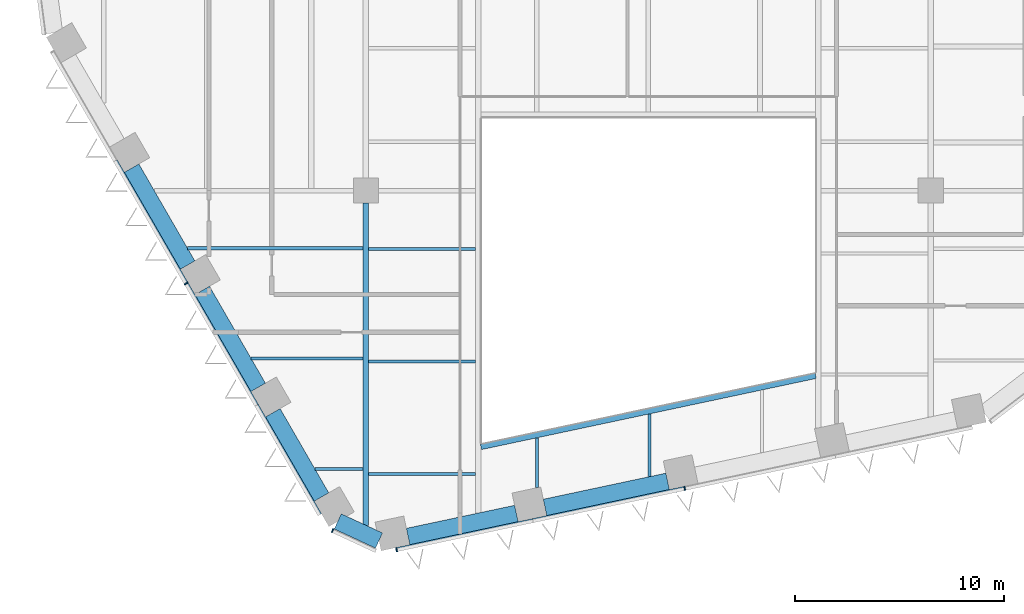
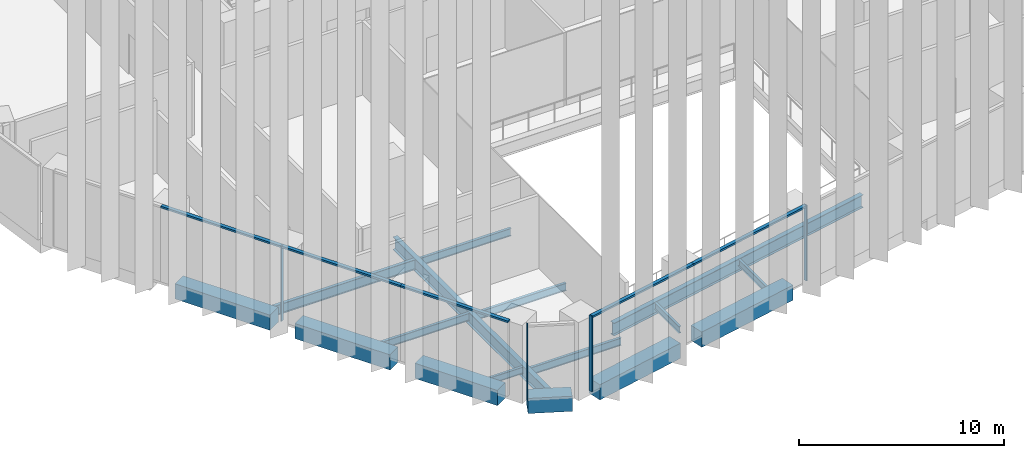
# One storey, part 2 of 18: 16 beams, 9 members, 3 elements without a shape of their own.
"""IFC4 building model written with IfcOpenShell, lengths in metres."""

import ifcopenshell
import ifcopenshell.guid

model = None  # the IFC model being written
_history = None  # IfcOwnerHistory: only IFC2X3 demands one
_inside = {}  # id of a spatial element -> (the spatial element, [elements in it])
_under = {}  # id of a project, library or spatial element -> (it, [spatial elements below it])
_declared = {}  # id of a project -> (the project, [libraries it declares])
_typed = {}  # id of a type object -> (the type object, [elements of that type])
_made_of = {}  # id of a material, layer set ... -> (it, [elements and type objects made of it])


def new_model(schema):
    """Start an empty IFC model of exactly this schema.

    Asked for "IFC4X3", IfcOpenShell would pick the latest addendum, in which some entities
    have other attributes; the version numbers below select the first issue.
    IFC2X3 requires an IfcOwnerHistory on every rooted entity: one is made here for all.
    """
    global model, _history
    if schema == "IFC4X3":
        model = ifcopenshell.file(schema_version=(4, 3, 0, 0))
    else:
        model = ifcopenshell.file(schema=schema)
    _inside.clear()
    _under.clear()
    _declared.clear()
    _typed.clear()
    _made_of.clear()
    _history = None
    if model.schema == "IFC2X3":
        org = make("IfcOrganization", Name="unknown")
        user = make(
            "IfcPersonAndOrganization",
            ThePerson=make("IfcPerson", FamilyName="unknown"),
            TheOrganization=org,
        )
        app = make(
            "IfcApplication",
            ApplicationDeveloper=org,
            Version="unknown",
            ApplicationFullName="unknown",
            ApplicationIdentifier="unknown",
        )
        _history = make(
            "IfcOwnerHistory",
            OwningUser=user,
            OwningApplication=app,
            ChangeAction="ADDED",
            CreationDate=0,
        )
    return model


def make(cls, **values):
    """One entity of the class cls with the attributes given. An attribute that is None is left unset."""
    return model.create_entity(
        cls, **{name: value for name, value in values.items() if value is not None}
    )


def rooted(cls, **values):
    """An entity with a GlobalId (a new one), such as an element, a storey or a relation."""
    return make(cls, GlobalId=ifcopenshell.guid.new(), OwnerHistory=_history, **values)


def si_unit(unit_type, name, prefix=None):
    """IfcSIUnit, for example si_unit("LENGTHUNIT", "METRE", prefix="MILLI")."""
    return make("IfcSIUnit", UnitType=unit_type, Prefix=prefix, Name=name)


def assignment(units):
    """IfcUnitAssignment: the units of a project."""
    return None if units is None else make("IfcUnitAssignment", Units=units)


def point(xyz):
    """IfcCartesianPoint."""
    return None if xyz is None else make("IfcCartesianPoint", Coordinates=xyz)


def direction(xyz):
    """IfcDirection."""
    return None if xyz is None else make("IfcDirection", DirectionRatios=xyz)


def frame(location, z_axis=None, x_axis=None):
    """IfcAxis2Placement3D, a coordinate frame: its origin and axes. An axis left out is left unset."""
    return make(
        "IfcAxis2Placement3D",
        Location=point(location),
        Axis=direction(z_axis),
        RefDirection=direction(x_axis),
    )


def frame_2d(location, x_axis=None):
    """IfcAxis2Placement2D, a coordinate frame in the plane: its origin and x axis."""
    return make(
        "IfcAxis2Placement2D", Location=point(location), RefDirection=direction(x_axis)
    )


def origin():
    """The frame at (0, 0, 0) with its axes left unset."""
    return frame((0.0, 0.0, 0.0))


def origin_2d():
    """The frame at (0, 0) in the plane with its x axis left unset."""
    return frame_2d((0.0, 0.0))


def place(relative_to, where):
    """IfcLocalPlacement: puts the frame where relative to a parent placement (None: the world)."""
    return make(
        "IfcLocalPlacement", PlacementRelTo=relative_to, RelativePlacement=where
    )


def context(
    kind, dimensions, precision=None, world=None, true_north=None, identifier=None
):
    """IfcGeometricRepresentationContext, for example the 3D "Model" context."""
    return make(
        "IfcGeometricRepresentationContext",
        ContextIdentifier=identifier,
        ContextType=kind,
        CoordinateSpaceDimension=dimensions,
        Precision=precision,
        WorldCoordinateSystem=world,
        TrueNorth=true_north,
    )


def subcontext(parent, identifier, kind, view, scale=None):
    """IfcGeometricRepresentationSubContext, for example "Body" below "Model"."""
    return make(
        "IfcGeometricRepresentationSubContext",
        ContextIdentifier=identifier,
        ContextType=kind,
        ParentContext=parent,
        TargetScale=scale,
        TargetView=view,
    )


def project(units=None, contexts=None):
    """IfcProject with its units and contexts."""
    return rooted(
        "IfcProject",
        Name="project",
        RepresentationContexts=contexts,
        UnitsInContext=assignment(units),
    )


def spatial(cls, under=None, at=None, **own):
    """A site, building, storey or space (cls), placed at a placement, below another one or the project."""
    s = rooted(cls, ObjectPlacement=at, **own)
    if under is not None:
        _under.setdefault(under.id(), (under, []))[1].append(s)
    return s


def profile(cls, at=None, kind="AREA", **sizes):
    """A parametric profile (cls). Its sizes go by their IFC names, for example OverallWidth=200.0."""
    return make(cls, ProfileType=kind, Position=at, **sizes)


def rectangle(**sizes):
    """IfcRectangleProfileDef."""
    return profile("IfcRectangleProfileDef", **sizes)


def i_section(**sizes):
    """IfcIShapeProfileDef."""
    return profile("IfcIShapeProfileDef", **sizes)


def extrude(swept, where, along, depth):
    """IfcExtrudedAreaSolid: the profile swept, set in the frame where, extruded along a direction by depth."""
    return make(
        "IfcExtrudedAreaSolid",
        SweptArea=swept,
        Position=where,
        ExtrudedDirection=direction(along),
        Depth=depth,
    )


def shape(context_of_items, identifier, shape_type, items):
    """IfcShapeRepresentation: the items that make up one representation, for example the "Body"."""
    return make(
        "IfcShapeRepresentation",
        ContextOfItems=context_of_items,
        RepresentationIdentifier=identifier,
        RepresentationType=shape_type,
        Items=items,
    )


def material(Name=None, Category=None):
    """IfcMaterial."""
    return make("IfcMaterial", Name=Name, Category=Category)


def layer(
    of_material, thickness, ventilated=None, Name=None, Category=None, Priority=None
):
    """IfcMaterialLayer: one layer of a wall or slab, of a material (None: an air gap)."""
    return make(
        "IfcMaterialLayer",
        Material=of_material,
        LayerThickness=thickness,
        IsVentilated=ventilated,
        Name=Name,
        Category=Category,
        Priority=Priority,
    )


def layer_set(layers, Name=None):
    """IfcMaterialLayerSet."""
    return make("IfcMaterialLayerSet", MaterialLayers=layers, LayerSetName=Name)


def material_profile(
    of_material, cross_section, Name=None, Category=None, Priority=None
):
    """IfcMaterialProfile: a cross section and its material."""
    return make(
        "IfcMaterialProfile",
        Name=Name,
        Material=of_material,
        Profile=cross_section,
        Priority=Priority,
        Category=Category,
    )


def profile_set(profiles, Name=None, composite=None):
    """IfcMaterialProfileSet."""
    return make(
        "IfcMaterialProfileSet",
        Name=Name,
        MaterialProfiles=profiles,
        CompositeProfile=composite,
    )


def made_of(thing, what):
    """Note that an element or type object is made of a material, layer set ...; save() writes the relation."""
    if what is not None:
        _made_of.setdefault(what.id(), (what, []))[1].append(thing)
    return thing


def type_object(cls, material=None, **own):
    """A type object (cls), such as IfcWallType, which elements share."""
    return made_of(rooted(cls, **own), material)


def element(
    cls,
    number,
    at=None,
    inside=None,
    cuts=None,
    type_object=None,
    material=None,
    context=None,
    identifier="Body",
    shape_type=None,
    held_by="IfcProductDefinitionShape",
    body=None,
    shapes=None,
    **own,
):
    """One element of the class cls, such as IfcWall. Its Tag is "e" and its number.

    at: its placement. inside: the storey or other place that contains it. cuts: it is an
    opening in that element (IfcRelVoidsElement). A single representation is given by context,
    identifier, shape_type and body (its items); several are given by shapes. held_by: the class
    of the entity that holds the representations. save() writes the other relations.
    """
    e = rooted(cls, Tag="e%d" % number, ObjectPlacement=at, **own)
    if body is not None:
        shapes = [shape(context, identifier, shape_type, body)]
    if shapes is not None:
        e.Representation = make(held_by, Representations=shapes)
    if inside is not None:
        _inside.setdefault(inside.id(), (inside, []))[1].append(e)
    if cuts is not None:
        rooted(
            "IfcRelVoidsElement", RelatingBuildingElement=cuts, RelatedOpeningElement=e
        )
    if type_object is not None:
        _typed.setdefault(type_object.id(), (type_object, []))[1].append(e)
    return made_of(e, material)


def aggregate(whole, parts):
    """IfcRelAggregates: a whole, such as a stair, and the parts it consists of."""
    return rooted("IfcRelAggregates", RelatingObject=whole, RelatedObjects=parts)


def save(model, path):
    """Write the relations noted so far, then the file.

    IfcRelAggregates (storeys below a building ...), IfcRelContainedInSpatialStructure (elements
    in a storey), IfcRelDefinesByType, IfcRelAssociatesMaterial and IfcRelDeclares: one each for
    every whole, place, type object, material and project.
    """
    for whole, parts in _under.values():
        aggregate(whole, parts)
    for where, things in _inside.values():
        rooted(
            "IfcRelContainedInSpatialStructure",
            RelatedElements=things,
            RelatingStructure=where,
        )
    for kind, things in _typed.values():
        rooted("IfcRelDefinesByType", RelatedObjects=things, RelatingType=kind)
    for what, things in _made_of.values():
        rooted("IfcRelAssociatesMaterial", RelatedObjects=things, RelatingMaterial=what)
    for by, libraries in _declared.values():
        rooted("IfcRelDeclares", RelatingContext=by, RelatedDefinitions=libraries)
    model.write(path)


model = new_model("IFC4")

# Units and contexts
model_context = context("Model", 3, precision=1e-05, world=origin(), true_north=direction((0.0, 1.0)))
body_context = subcontext(model_context, "Body", "Model", "MODEL_VIEW")
ifc_project = project(units=[si_unit("LENGTHUNIT", "METRE"), si_unit("AREAUNIT", "SQUARE_METRE"), si_unit("VOLUMEUNIT", "CUBIC_METRE"), si_unit("PLANEANGLEUNIT", "RADIAN"), si_unit("MASSUNIT", "GRAM", prefix="KILO")], contexts=[model_context])

# Site, building, storey
site_placement = place(None, origin())
site = spatial("IfcSite", under=ifc_project, at=site_placement, CompositionType="ELEMENT")
building_placement = place(site_placement, origin())
building = spatial("IfcBuilding", under=site, at=building_placement, Name="Isthmus Gate Tower", CompositionType="ELEMENT")
storey_placement = place(building_placement, frame((0.0, 0.0, 166.300048828125)))
storey = spatial("IfcBuildingStorey", under=building, at=storey_placement, Name="L41", CompositionType="ELEMENT", Elevation=166.300048828125)

# Curtain wall, member
ifc_material_1 = material(Name="Aluminium, pale champagne anodised", Category="aluminium")
ifc_layer = layer(ifc_material_1, 0.199951171875)
ifc_layer_set = layer_set([ifc_layer], Name="CW-2 LOUVRE CURTAIN WALL 200 DEEP")
curtain_wall_type = type_object("IfcCurtainWallType", Name="CW-2 LOUVRE CURTAIN WALL 200 DEEP", PredefinedType="NOTDEFINED", material=ifc_layer_set)
curtain_wall_1_placement = place(storey_placement, origin())
curtain_wall_1 = element("IfcCurtainWall", 1, at=curtain_wall_1_placement, inside=storey, type_object=curtain_wall_type, Name="CW-2 SW L41", PredefinedType="NOTDEFINED")
ifc_material_2 = material(Name="Aluminium, pale champagne anodised", Category="aluminium")
ifc_material_profile_1 = material_profile(ifc_material_2, rectangle(XDim=0.06005859375, YDim=0.199951171875, at=origin_2d()), Name="60x200")
ifc_profile_set_1 = profile_set([ifc_material_profile_1], Name="Aluminium, pale champagne anodised")
member_type_1 = type_object("IfcMemberType", Name="CW-2 MULLION 60 X 200", PredefinedType="MULLION", material=ifc_profile_set_1)
member_1_placement = place(storey_placement, frame((-22.08935546875, -17.93994140625, 0.0), z_axis=(0.0, 0.0, 1.0), x_axis=(0.5, -0.866025403784, 0.0)))
member_1 = element("IfcMember", 2, at=member_1_placement, type_object=member_type_1, Name="CW-2 mullion", PredefinedType="MULLION", context=body_context, shape_type="SweptSolid", body=[
    extrude(rectangle(XDim=0.06005859375, YDim=0.199951171875, at=origin_2d()), origin(), (0.0, 0.0, 1.0), 4.5),
])

curtain_wall_2_placement = place(storey_placement, origin())
curtain_wall_2 = element("IfcCurtainWall", 3, at=curtain_wall_2_placement, inside=storey, type_object=curtain_wall_type, Name="CW-2 SW-S L41", PredefinedType="NOTDEFINED")
member_2_placement = place(storey_placement, frame((-15.091064453125, -29.74755859375, 0.0), z_axis=(0.0, 0.0, 1.0), x_axis=(0.907256261367, -0.420578264073, 0.0)))
member_2 = element("IfcMember", 4, at=member_2_placement, type_object=member_type_1, Name="CW-2 mullion", PredefinedType="MULLION", context=body_context, shape_type="SweptSolid", body=[
    extrude(rectangle(XDim=0.06005859375, YDim=0.199951171875, at=origin_2d()), origin(), (0.0, 0.0, 1.0), 4.5),
])
aggregate(curtain_wall_2, [member_2])

# Curtain wall, members
curtain_wall_3_placement = place(storey_placement, origin())
curtain_wall_3 = element("IfcCurtainWall", 5, at=curtain_wall_3_placement, inside=storey, type_object=curtain_wall_type, Name="CW-2 S L41", PredefinedType="NOTDEFINED")
member_3_placement = place(storey_placement, frame((-12.03369140625, -30.66015625, 0.0), z_axis=(0.0, 0.0, 1.0), x_axis=(0.978147600734, 0.207911690818, 0.0)))
member_3 = element("IfcMember", 6, at=member_3_placement, type_object=member_type_1, Name="CW-2 mullion", PredefinedType="MULLION", context=body_context, shape_type="SweptSolid", body=[
    extrude(rectangle(XDim=0.06005859375, YDim=0.199951171875, at=origin_2d()), origin(), (0.0, 0.0, 1.0), 4.5),
])
member_4_placement = place(storey_placement, frame((1.740234375, -27.732421875, 0.0), z_axis=(0.0, 0.0, 1.0), x_axis=(0.978147600734, 0.207911690818, 0.0)))
member_4 = element("IfcMember", 7, at=member_4_placement, type_object=member_type_1, Name="CW-2 mullion", PredefinedType="MULLION", context=body_context, shape_type="SweptSolid", body=[
    extrude(rectangle(XDim=0.06005859375, YDim=0.199951171875, at=origin_2d()), origin(), (0.0, 0.0, 1.0), 4.5),
])

# Member
ifc_material_3 = material(Name="Aluminium, pale champagne anodised", Category="aluminium")
ifc_material_profile_2 = material_profile(ifc_material_3, rectangle(XDim=0.199951171875, YDim=0.110107421875, at=origin_2d()), Name="200x110")
ifc_profile_set_2 = profile_set([ifc_material_profile_2], Name="Aluminium, pale champagne anodised")
member_type_2 = type_object("IfcMemberType", Name="CW-2 TRANSOM 200 X 110", PredefinedType="USERDEFINED", material=ifc_profile_set_2)
member_5_placement = place(storey_placement, frame((-25.4794921875, -12.068115234375, 4.445068359375), z_axis=(0.49998230858, -0.86603561769, 0.0), x_axis=(0.86603561769, 0.49998230858, 0.0)))
member_5 = element("IfcMember", 8, at=member_5_placement, type_object=member_type_2, Name="CW-2 transom", ObjectType="TRANSOM", PredefinedType="USERDEFINED", context=body_context, shape_type="SweptSolid", body=[
    extrude(rectangle(XDim=0.199951171875, YDim=0.110107421875, at=origin_2d()), origin(), (0.0, 0.0, 1.0), 6.750244140625),
])

member_6_placement = place(storey_placement, frame((-22.074462890625, -17.9658203125, 4.445068359375), z_axis=(0.499981482168, -0.866036094796, 0.0), x_axis=(0.866036094796, 0.499981482168, 0.0)))
member_6 = element("IfcMember", 9, at=member_6_placement, type_object=member_type_2, Name="CW-2 transom", ObjectType="TRANSOM", PredefinedType="USERDEFINED", context=body_context, shape_type="SweptSolid", body=[
    extrude(rectangle(XDim=0.199951171875, YDim=0.110107421875, at=origin_2d()), origin(), (0.0, 0.0, 1.0), 6.690185546875),
])

member_7_placement = place(storey_placement, frame((-18.7294921875, -23.759765625, 4.445068359375), z_axis=(0.50001470477, -0.866016913815, 0.0), x_axis=(0.866016913815, 0.50001470477, 0.0)))
member_7 = element("IfcMember", 10, at=member_7_placement, type_object=member_type_2, Name="CW-2 transom", ObjectType="TRANSOM", PredefinedType="USERDEFINED", context=body_context, shape_type="SweptSolid", body=[
    extrude(rectangle(XDim=0.199951171875, YDim=0.110107421875, at=origin_2d()), origin(), (0.0, 0.0, 1.0), 6.050048828125),
])

aggregate(curtain_wall_1, [member_5, member_1, member_6, member_7])

member_8_placement = place(storey_placement, frame((-12.00439453125, -30.65380859375, 4.445068359375), z_axis=(0.97814593552, 0.207919524877, 0.0), x_axis=(-0.207919524877, 0.97814593552, 0.0)))
member_8 = element("IfcMember", 11, at=member_8_placement, type_object=member_type_2, Name="CW-2 transom", ObjectType="TRANSOM", PredefinedType="USERDEFINED", context=body_context, shape_type="SweptSolid", body=[
    extrude(rectangle(XDim=0.199951171875, YDim=0.110107421875, at=origin_2d()), origin(), (0.0, 0.0, 1.0), 6.630859375),
])

member_9_placement = place(storey_placement, frame((-5.5185546875, -29.275146484375, 4.445068359375), z_axis=(0.978147683684, 0.207911300568, 0.0), x_axis=(-0.207911300568, 0.978147683684, 0.0)))
member_9 = element("IfcMember", 12, at=member_9_placement, type_object=member_type_2, Name="CW-2 transom", ObjectType="TRANSOM", PredefinedType="USERDEFINED", context=body_context, shape_type="SweptSolid", body=[
    extrude(rectangle(XDim=0.199951171875, YDim=0.110107421875, at=origin_2d()), origin(), (0.0, 0.0, 1.0), 7.390869140625),
])

aggregate(curtain_wall_3, [member_3, member_8, member_9, member_4])

# Beams
ifc_material_4 = material(Name="Concrete f'c 60 MPa", Category="concrete")
ifc_material_profile_3 = material_profile(ifc_material_4, rectangle(XDim=0.800048828125, YDim=0.89990234375, at=origin_2d()), Name="RC 800X900")
ifc_profile_set_3 = profile_set([ifc_material_profile_3], Name="Concrete f'c 60 MPa")
beam_type_1 = type_object("IfcBeamType", Name="RC SPANDREL 800 X 900", PredefinedType="SPANDREL", material=ifc_profile_set_3)
beam_1_placement = place(storey_placement, frame((0.922119140625, -27.39501953125, -0.449951171875), z_axis=(-0.978145798872, -0.20792016773, 0.0), x_axis=(0.20792016773, -0.978145798872, 0.0)))
element("IfcBeam", 13, at=beam_1_placement, inside=storey, type_object=beam_type_1, Name="str-spandrel-L41-13", PredefinedType="SPANDREL", context=body_context, shape_type="SweptSolid", body=[
    extrude(rectangle(XDim=0.800048828125, YDim=0.89990234375, at=origin_2d()), origin(), (0.0, 0.0, 1.0), 5.99072265625),
])
beam_2_placement = place(storey_placement, frame((-6.30712890625, -28.931640625, -0.449951171875), z_axis=(-0.978145479826, -0.207921668653, 0.0), x_axis=(0.207921668653, -0.978145479826, 0.0)))
element("IfcBeam", 14, at=beam_2_placement, inside=storey, type_object=beam_type_1, Name="str-spandrel-L41-14", PredefinedType="SPANDREL", context=body_context, shape_type="SweptSolid", body=[
    extrude(rectangle(XDim=0.800048828125, YDim=0.89990234375, at=origin_2d()), origin(), (0.0, 0.0, 1.0), 5.291015625),
])
beam_3_placement = place(storey_placement, frame((-12.87255859375, -30.224853515625, -0.449951171875), z_axis=(-0.907290744498, 0.420503870314, 0.0), x_axis=(-0.420503870314, -0.907290744498, 0.0)))
element("IfcBeam", 15, at=beam_3_placement, inside=storey, type_object=beam_type_1, Name="str-spandrel-L41-15", PredefinedType="SPANDREL", context=body_context, shape_type="SweptSolid", body=[
    extrude(rectangle(XDim=0.800048828125, YDim=0.89990234375, at=origin_2d()), origin(), (0.0, 0.0, 1.0), 2.173095703125),
])
beam_4_placement = place(storey_placement, frame((-15.621337890625, -28.14306640625, -0.449951171875), z_axis=(-0.499984536904, 0.866034331223, 0.0), x_axis=(-0.866034331223, -0.499984536904, 0.0)))
element("IfcBeam", 16, at=beam_4_placement, inside=storey, type_object=beam_type_1, Name="str-spandrel-L41-16", PredefinedType="SPANDREL", context=body_context, shape_type="SweptSolid", body=[
    extrude(rectangle(XDim=0.800048828125, YDim=0.89990234375, at=origin_2d()), origin(), (0.0, 0.0, 1.0), 4.650146484375),
])
for number, where, z_axis, x_axis, name in (
    (17, (-18.646484375, -22.903564453125, -0.449951171875), (-0.500001594578, 0.866024483152, 0.0), (-0.866024483152, -0.500001594578, 0.0), "str-spandrel-L41-17"),
    (18, (-22.021484375, -17.0576171875, -0.449951171875), (-0.500001594578, 0.866024483152, 0.0), (-0.866024483152, -0.500001594578, 0.0), "str-spandrel-L41-18"),
):
    element("IfcBeam", number, at=place(storey_placement, frame(where, z_axis=z_axis, x_axis=x_axis)), inside=storey, type_object=beam_type_1, Name=name, PredefinedType="SPANDREL", context=body_context, shape_type="SweptSolid", body=[
        extrude(rectangle(XDim=0.800048828125, YDim=0.89990234375, at=origin_2d()), origin(), (0.0, 0.0, 1.0), 5.35009765625),
    ])
ifc_material_5 = material(Name="Structural steel ASTM A992 Gr 50", Category="steel")
ifc_material_profile_4 = material_profile(ifc_material_5, i_section(OverallWidth=0.1396484375, OverallDepth=0.4033203125, WebThickness=0.00634765625, FlangeThickness=0.010986328125, at=origin_2d()), Name="W16X31")
ifc_profile_set_4 = profile_set([ifc_material_profile_4], Name="Structural steel ASTM A992 Gr 50")
beam_type_2 = type_object("IfcBeamType", Name="STEEL FLOOR BEAM W16X31", PredefinedType="JOIST", material=ifc_profile_set_4)
beam_5_placement = place(storey_placement, frame((-15.937744140625, -26.795166015625, -0.501708984375), z_axis=(1.0, 0.0, 0.0), x_axis=(0.0, 1.0, 0.0)))
element("IfcBeam", 19, at=beam_5_placement, inside=storey, type_object=beam_type_2, Name="str-beam-L41-02-00", PredefinedType="JOIST", context=body_context, shape_type="SweptSolid", body=[
    extrude(i_section(OverallWidth=0.1396484375, OverallDepth=0.4033203125, WebThickness=0.00634765625, FlangeThickness=0.010986328125, at=origin_2d()), origin(), (0.0, 0.0, 1.0), 2.304443359375),
])
beam_6_placement = place(storey_placement, frame((-5.311279296875, -27.69775390625, -0.501708984375), z_axis=(0.0, 1.0, 0.0), x_axis=(-1.0, 0.0, 0.0)))
element("IfcBeam", 20, at=beam_6_placement, inside=storey, type_object=beam_type_2, Name="str-beam-L41-07-00", PredefinedType="JOIST", context=body_context, shape_type="SweptSolid", body=[
    extrude(i_section(OverallWidth=0.1396484375, OverallDepth=0.4033203125, WebThickness=0.00634765625, FlangeThickness=0.010986328125, at=origin_2d()), origin(), (0.0, 0.0, 1.0), 2.385498046875),
])
beam_7_placement = place(storey_placement, frame((0.06591796875, -27.168212890625, -0.501708984375), z_axis=(0.0, 1.0, 0.0), x_axis=(-1.0, 0.0, 0.0)))
element("IfcBeam", 21, at=beam_7_placement, inside=storey, type_object=beam_type_2, Name="str-beam-L41-07-01", PredefinedType="JOIST", context=body_context, shape_type="SweptSolid", body=[
    extrude(i_section(OverallWidth=0.1396484375, OverallDepth=0.4033203125, WebThickness=0.00634765625, FlangeThickness=0.010986328125, at=origin_2d()), origin(), (0.0, 0.0, 1.0), 2.9990234375),
])
ifc_material_6 = material(Name="Structural steel ASTM A992 Gr 50", Category="steel")
ifc_material_profile_5 = material_profile(ifc_material_6, i_section(OverallWidth=0.15234375, OverallDepth=0.45068359375, WebThickness=0.0078125, FlangeThickness=0.010986328125, at=origin_2d()), Name="W18X35")
ifc_profile_set_5 = profile_set([ifc_material_profile_5], Name="Structural steel ASTM A992 Gr 50")
beam_type_3 = type_object("IfcBeamType", Name="STEEL FLOOR BEAM W18X35", PredefinedType="JOIST", material=ifc_profile_set_5)
beam_8_placement = place(storey_placement, frame((-18.981689453125, -21.52294921875, -0.525390625), z_axis=(1.0, 0.0, 0.0), x_axis=(0.0, 1.0, 0.0)))
element("IfcBeam", 22, at=beam_8_placement, inside=storey, type_object=beam_type_3, Name="str-beam-L41-02-01", PredefinedType="JOIST", context=body_context, shape_type="SweptSolid", body=[
    extrude(i_section(OverallWidth=0.15234375, OverallDepth=0.45068359375, WebThickness=0.0078125, FlangeThickness=0.010986328125, at=origin_2d()), origin(), (0.0, 0.0, 1.0), 5.348388671875),
])
for number, where, z_axis, x_axis, name in (
    (23, (-13.36669921875, -27.04736328125, -0.525390625), (1.0, 0.0, 0.0), (0.0, 1.0, 0.0), "str-beam-L41-03-00"),
    (24, (-13.36669921875, -21.67041015625, -0.525390625), (1.0, 0.0, 0.0), (0.0, 1.0, 0.0), "str-beam-L41-03-01"),
    (25, (-13.36669921875, -16.293212890625, -0.525390625), (1.0, 0.0, 0.0), (0.0, 1.0, 0.0), "str-beam-L41-03-02"),
):
    element("IfcBeam", number, at=place(storey_placement, frame(where, z_axis=z_axis, x_axis=x_axis)), inside=storey, type_object=beam_type_3, Name=name, PredefinedType="JOIST", context=body_context, shape_type="SweptSolid", body=[
        extrude(i_section(OverallWidth=0.15234375, OverallDepth=0.45068359375, WebThickness=0.0078125, FlangeThickness=0.010986328125, at=origin_2d()), origin(), (0.0, 0.0, 1.0), 5.10009765625),
    ])
ifc_material_7 = material(Name="Structural steel ASTM A992 Gr 50", Category="steel")
ifc_material_profile_6 = material_profile(ifc_material_7, i_section(OverallWidth=0.177734375, OverallDepth=0.60009765625, WebThickness=0.009521484375, FlangeThickness=0.0126953125, at=origin_2d()), Name="W24X55")
ifc_profile_set_6 = profile_set([ifc_material_profile_6], Name="Structural steel ASTM A992 Gr 50")
beam_type_4 = type_object("IfcBeamType", Name="STEEL FLOOR BEAM W24X55", PredefinedType="JOIST", material=ifc_profile_set_6)
beam_9_placement = place(storey_placement, frame((-22.025634765625, -16.25048828125, -0.60009765625), z_axis=(1.0, 0.0, 0.0), x_axis=(0.0, 1.0, 0.0)))
element("IfcBeam", 26, at=beam_9_placement, inside=storey, type_object=beam_type_4, Name="str-beam-L41-02-02", PredefinedType="JOIST", context=body_context, shape_type="SweptSolid", body=[
    extrude(i_section(OverallWidth=0.177734375, OverallDepth=0.60009765625, WebThickness=0.009521484375, FlangeThickness=0.0126953125, at=origin_2d()), origin(), (0.0, 0.0, 1.0), 8.392333984375),
])
ifc_material_8 = material(Name="Structural steel ASTM A992 Gr 50", Category="steel")
ifc_material_profile_7 = material_profile(ifc_material_8, i_section(OverallWidth=0.2666015625, OverallDepth=0.7587890625, WebThickness=0.014404296875, FlangeThickness=0.01904296875, at=origin_2d()), Name="W30X108")
ifc_profile_set_7 = profile_set([ifc_material_profile_7], Name="Structural steel ASTM A992 Gr 50")
beam_type_5 = type_object("IfcBeamType", Name="STEEL GIRDER W30X108", PredefinedType="BEAM", material=ifc_profile_set_7)
beam_10_placement = place(storey_placement, frame((-13.5, -29.4931640625, -0.679443359375), z_axis=(0.0, 1.0, 0.0), x_axis=(-1.0, 0.0, 0.0)))
element("IfcBeam", 27, at=beam_10_placement, inside=storey, type_object=beam_type_5, Name="str-girder-L41-07", PredefinedType="BEAM", context=body_context, shape_type="SweptSolid", body=[
    extrude(i_section(OverallWidth=0.2666015625, OverallDepth=0.7587890625, WebThickness=0.014404296875, FlangeThickness=0.01904296875, at=origin_2d()), origin(), (0.0, 0.0, 1.0), 15.39306640625),
])
ifc_material_9 = material(Name="Structural steel ASTM A992 Gr 50", Category="steel")
ifc_material_profile_8 = material_profile(ifc_material_9, i_section(OverallWidth=0.2666015625, OverallDepth=0.7587890625, WebThickness=0.014404296875, FlangeThickness=0.01904296875, at=origin_2d()), Name="W30X108")
ifc_profile_set_8 = profile_set([ifc_material_profile_8], Name="Structural steel ASTM A992 Gr 50")
beam_type_6 = type_object("IfcBeamType", Name="STEEL TRIMMER W30X108", PredefinedType="BEAM", material=ifc_profile_set_8)
beam_11_placement = place(storey_placement, frame((-8.0, -25.747314453125, -0.679443359375), z_axis=(0.978147924985, 0.20791016533, 0.0), x_axis=(-0.20791016533, 0.978147924985, 0.0)))
element("IfcBeam", 28, at=beam_11_placement, inside=storey, type_object=beam_type_6, Name="str-trimmer-L41-03", PredefinedType="BEAM", context=body_context, shape_type="SweptSolid", body=[
    extrude(i_section(OverallWidth=0.2666015625, OverallDepth=0.7587890625, WebThickness=0.014404296875, FlangeThickness=0.01904296875, at=origin_2d()), origin(), (0.0, 0.0, 1.0), 16.357421875),
])

save(model, "model.ifc")
